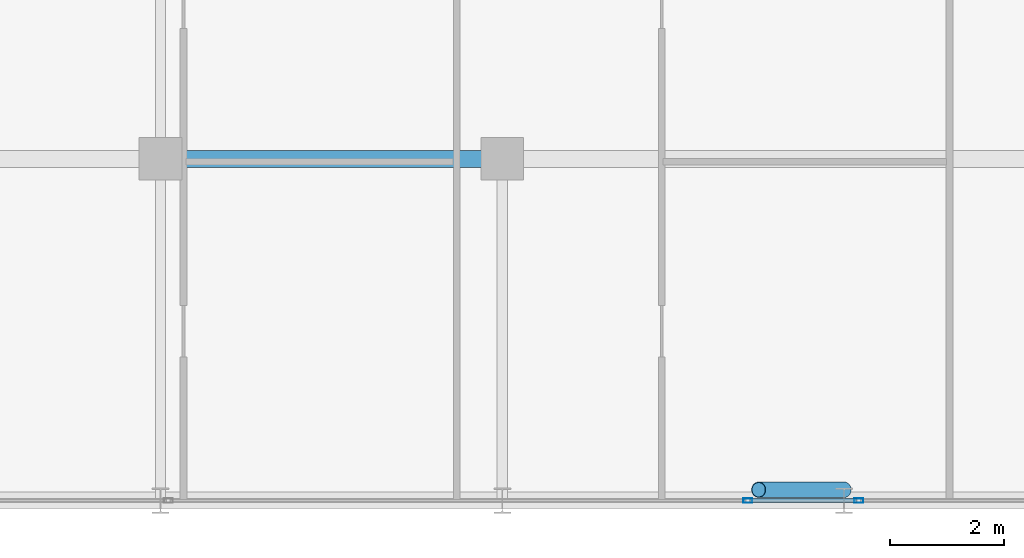
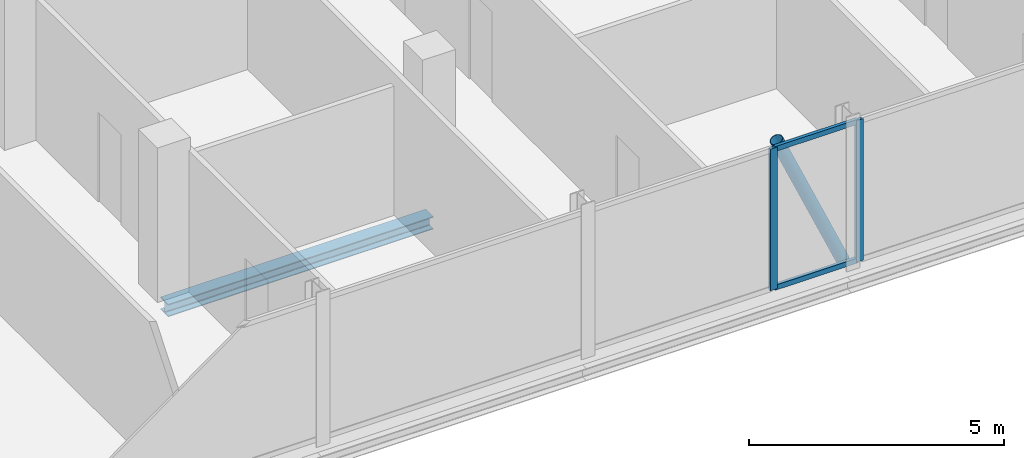
# One storey, part 10 of 29: 5 members, 1 beam, 2 elements without a shape of their own.
"""IFC4 building model written with IfcOpenShell, lengths in metres."""

from ifc_helpers import new_model, si_unit, direction, frame, origin, origin_2d, place, context, subcontext, project, spatial, hollow_rectangle, hollow_circle, i_section, extrude, material, layer, layer_set, material_profile, profile_set, type_object, element, aggregate, save


model = new_model("IFC4")

# Units and contexts
model_context = context("Model", 3, precision=1e-05, world=origin(), true_north=direction((0.0, 1.0)))
body_context = subcontext(model_context, "Body", "Model", "MODEL_VIEW")
ifc_project = project(units=[si_unit("LENGTHUNIT", "METRE"), si_unit("AREAUNIT", "SQUARE_METRE"), si_unit("VOLUMEUNIT", "CUBIC_METRE"), si_unit("PLANEANGLEUNIT", "RADIAN"), si_unit("MASSUNIT", "GRAM", prefix="KILO")], contexts=[model_context])

# Site, building, storey
site_placement = place(None, origin())
site = spatial("IfcSite", under=ifc_project, at=site_placement, CompositionType="ELEMENT")
building_placement = place(site_placement, origin())
building = spatial("IfcBuilding", under=site, at=building_placement, Name="Keshet Zoharim Tower", CompositionType="ELEMENT")
storey_placement = place(building_placement, frame((0.0, 0.0, 230.199951171875)))
storey = spatial("IfcBuildingStorey", under=building, at=storey_placement, Name="L57", CompositionType="ELEMENT", Elevation=230.199951171875)

# Beam
ifc_material_1 = material(Name="Steel S355", Category="steel")
ifc_material_profile_1 = material_profile(ifc_material_1, i_section(OverallWidth=0.300048828125, OverallDepth=0.300048828125, WebThickness=0.010986328125, FlangeThickness=0.01904296875, FilletRadius=0.027099609375, at=origin_2d()), Name="HEB300")
ifc_profile_set_1 = profile_set([ifc_material_profile_1], Name="Steel S355")
beam_type = type_object("IfcBeamType", Name="BM-PRI-HB300", PredefinedType="BEAM", material=ifc_profile_set_1)
beam_placement = place(storey_placement, frame((33.0, 6.699951171875, -0.4599609375), z_axis=(1.0, 0.0, 0.0), x_axis=(0.0, 1.0, 0.0)))
element("IfcBeam", 1, at=beam_placement, inside=storey, type_object=beam_type, Name="L57 Primary Girder X-007", PredefinedType="BEAM", context=body_context, shape_type="SweptSolid", body=[
    extrude(i_section(OverallWidth=0.300048828125, OverallDepth=0.300048828125, WebThickness=0.010986328125, FlangeThickness=0.01904296875, FilletRadius=0.027099609375, at=origin_2d()), origin(), (0.0, 0.0, 1.0), 6.0),
])

# Curtain wall, member
ifc_material_2 = material(Name="Aluminium 6063-T6", Category="aluminium")
ifc_layer = layer(ifc_material_2, 0.139892578125)
ifc_layer_set = layer_set([ifc_layer], Name="Aluminium 6063-T6")
curtain_wall_type = type_object("IfcCurtainWallType", Name="CW-SYS-05", PredefinedType="NOTDEFINED", material=ifc_layer_set)
curtain_wall_1_placement = place(storey_placement, origin())
curtain_wall_1 = element("IfcCurtainWall", 2, at=curtain_wall_1_placement, inside=storey, type_object=curtain_wall_type, Name="L57 Unitised Curtain Wall 06", PredefinedType="NOTDEFINED")
ifc_material_profile_2 = material_profile(ifc_material_2, hollow_rectangle(XDim=0.074951171875, YDim=0.159912109375, WallThickness=0.00390625, at=origin_2d()), Name="MUL-75x160")
ifc_profile_set_2 = profile_set([ifc_material_profile_2], Name="Aluminium 6063-T6")
member_type_1 = type_object("IfcMemberType", Name="CWM-M15", PredefinedType="MULLION", material=ifc_profile_set_2)
member_1_placement = place(storey_placement, frame((45.259765625, 0.699951171875, 0.0), z_axis=(0.0, 0.0, 1.0), x_axis=(0.0, -1.0, 0.0)))
member_1 = element("IfcMember", 3, at=member_1_placement, type_object=member_type_1, Name="CW-05 mullion 2", PredefinedType="MULLION", context=body_context, shape_type="SweptSolid", body=[
    extrude(hollow_rectangle(XDim=0.074951171875, YDim=0.159912109375, WallThickness=0.00390625, at=origin_2d()), origin(), (0.0, 0.0, 1.0), 3.39013671875),
])
aggregate(curtain_wall_1, [member_1])

# Curtain wall, members
curtain_wall_2_placement = place(storey_placement, origin())
curtain_wall_2 = element("IfcCurtainWall", 4, at=curtain_wall_2_placement, inside=storey, type_object=curtain_wall_type, Name="L57 Unitised Curtain Wall 06 Part 2", PredefinedType="NOTDEFINED")
member_2_placement = place(storey_placement, frame((43.310302734375, 0.699951171875, 0.0), z_axis=(0.0, 0.0, 1.0), x_axis=(0.0, -1.0, 0.0)))
member_2 = element("IfcMember", 5, at=member_2_placement, type_object=member_type_1, Name="CW-05 mullion 2", PredefinedType="MULLION", context=body_context, shape_type="SweptSolid", body=[
    extrude(hollow_rectangle(XDim=0.074951171875, YDim=0.159912109375, WallThickness=0.00390625, at=origin_2d()), origin(), (0.0, 0.0, 1.0), 3.39013671875),
])
ifc_material_profile_3 = material_profile(ifc_material_2, hollow_rectangle(XDim=0.074951171875, YDim=0.1201171875, WallThickness=0.00390625, at=origin_2d()), Name="TRN-75x120")
ifc_profile_set_3 = profile_set([ifc_material_profile_3], Name="Aluminium 6063-T6")
member_type_2 = type_object("IfcMemberType", Name="CWT-T12", PredefinedType="USERDEFINED", material=ifc_profile_set_3)
member_3_placement = place(storey_placement, frame((45.224853515625, 0.699951171875, 0.03515625), z_axis=(-1.0, 0.0, 0.0), x_axis=(0.0, -1.0, 0.0)))
member_3 = element("IfcMember", 6, at=member_3_placement, type_object=member_type_2, Name="CW-05 transom 1.1", ObjectType="TRANSOM", PredefinedType="USERDEFINED", context=body_context, shape_type="SweptSolid", body=[
    extrude(hollow_rectangle(XDim=0.074951171875, YDim=0.1201171875, WallThickness=0.00390625, at=origin_2d()), origin(), (0.0, 0.0, 1.0), 1.879638671875),
])
member_4_placement = place(storey_placement, frame((45.224853515625, 0.699951171875, 3.35498046875), z_axis=(-1.0, 0.0, 0.0), x_axis=(0.0, -1.0, 0.0)))
member_4 = element("IfcMember", 7, at=member_4_placement, type_object=member_type_2, Name="CW-05 transom 1.2", ObjectType="TRANSOM", PredefinedType="USERDEFINED", context=body_context, shape_type="SweptSolid", body=[
    extrude(hollow_rectangle(XDim=0.074951171875, YDim=0.1201171875, WallThickness=0.00390625, at=origin_2d()), origin(), (0.0, 0.0, 1.0), 1.879638671875),
])
aggregate(curtain_wall_2, [member_2, member_3, member_4])

# Member
ifc_material_profile_4 = material_profile(ifc_material_1, hollow_circle(Radius=0.136474609375, WallThickness=0.010009765625, at=origin_2d()), Name="CHS273x10")
ifc_profile_set_4 = profile_set([ifc_material_profile_4], Name="Steel S355")
member_type_3 = type_object("IfcMemberType", Name="MB-BR-C273", PredefinedType="BRACE", material=ifc_profile_set_4)
member_5_placement = place(storey_placement, frame((45.0, 0.889892578125, 0.0), z_axis=(-0.404622528463, 0.0, 0.914483793984), x_axis=(0.0, -1.0, 0.0)))
element("IfcMember", 8, at=member_5_placement, inside=storey, type_object=member_type_3, Name="L57 Perimeter Tube Brace 03", PredefinedType="BRACE", context=body_context, shape_type="SweptSolid", body=[
    extrude(hollow_circle(Radius=0.136474609375, WallThickness=0.010009765625, at=origin_2d()), origin(), (0.0, 0.0, 1.0), 3.707275390625),
])

save(model, "model.ifc")
